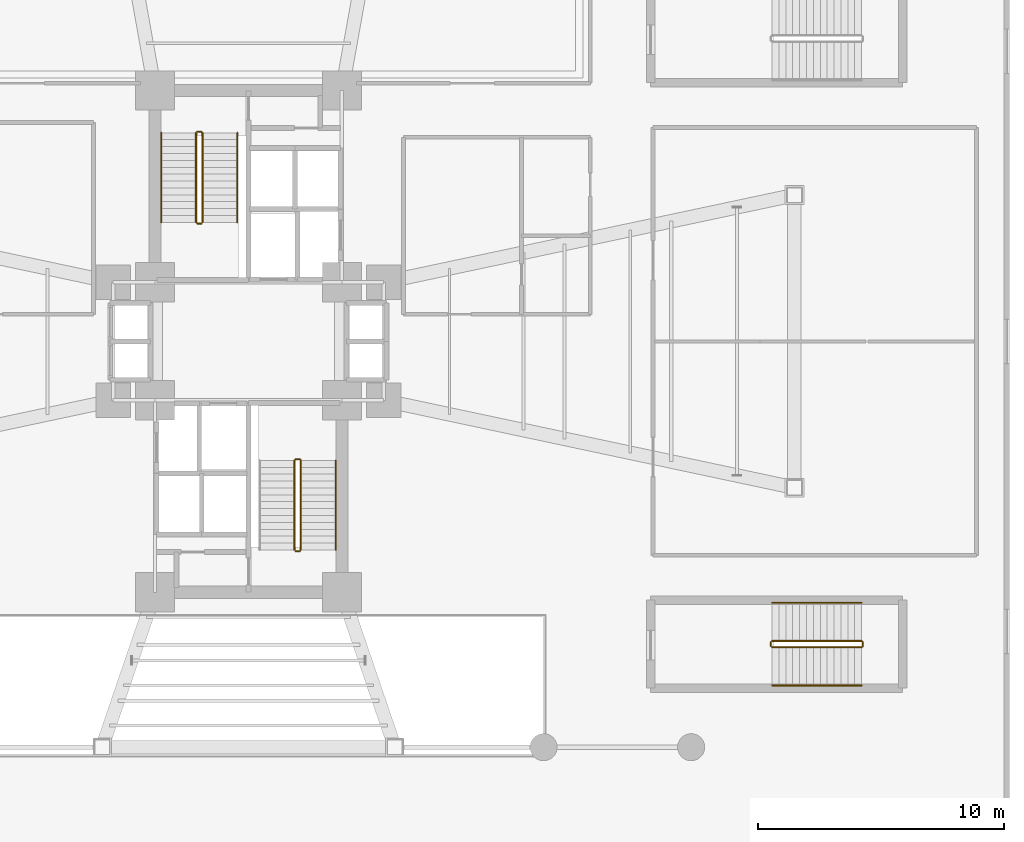
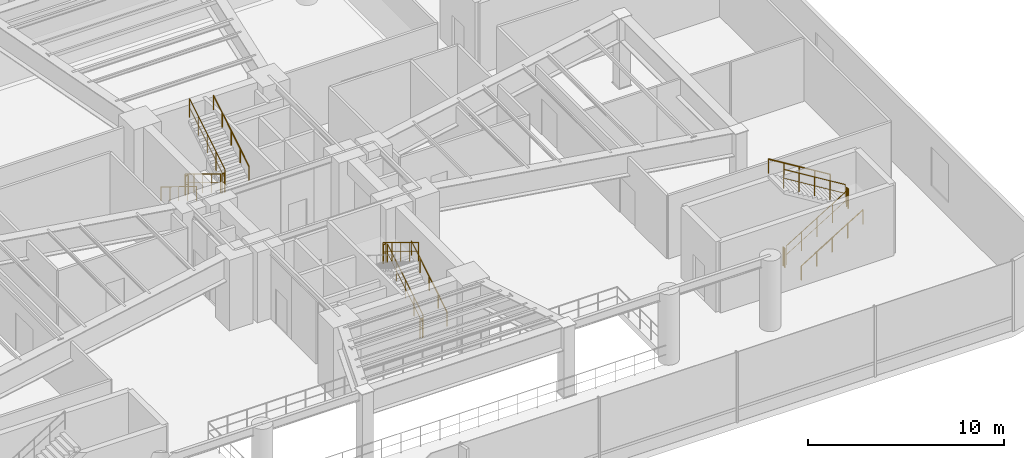
# One storey, part 20 of 22: 17 railings.
"""IFC4 building model written with IfcOpenShell, lengths in metres."""

from ifc_helpers import new_model, si_unit, direction, frame, origin, origin_2d, place, context, subcontext, project, spatial, circle, extrude, material, type_object, element, save


model = new_model("IFC4")

# Units and contexts
model_context = context("Model", 3, precision=1e-05, world=origin(), true_north=direction((0.0, 1.0)))
body_context = subcontext(model_context, "Body", "Model", "MODEL_VIEW")
ifc_project = project(units=[si_unit("LENGTHUNIT", "METRE"), si_unit("AREAUNIT", "SQUARE_METRE"), si_unit("VOLUMEUNIT", "CUBIC_METRE"), si_unit("PLANEANGLEUNIT", "RADIAN"), si_unit("MASSUNIT", "GRAM", prefix="KILO")], contexts=[model_context])

# Site, building, storey
site_placement = place(None, origin())
site = spatial("IfcSite", under=ifc_project, at=site_placement, CompositionType="ELEMENT")
building_placement = place(site_placement, origin())
building = spatial("IfcBuilding", under=site, at=building_placement, Name="Sahyath Konkavel Grand Hotel", CompositionType="ELEMENT")
storey_placement = place(building_placement, frame((0.0, 0.0, 9.300048828125)))
storey = spatial("IfcBuildingStorey", under=building, at=storey_placement, Name="L02", CompositionType="ELEMENT", Elevation=9.300048828125)

# Railings
ifc_material_1 = material(Name="Steel E350", Category="steel")
railing_type_1 = type_object("IfcRailingType", Name="RLG-STAIR-GRD", PredefinedType="GUARDRAIL", material=ifc_material_1)
railing_1_placement = place(storey_placement, frame((-2.1298828125, 8.47998046875, 0.17138671875)))
element("IfcRailing", 1, at=railing_1_placement, inside=storey, type_object=railing_type_1, Name="L02 ST-1 stair guard 1", PredefinedType="GUARDRAIL", context=body_context, shape_type="SweptSolid", body=[
    extrude(circle(Radius=0.02392578125, at=origin_2d()), frame((0.0, -0.001708984375, 1.177001953125), z_axis=(0.0, -0.852850264322, 0.5221555579), x_axis=(1.0, 0.0, 0.0)), (0.0, 0.0, 1.0), 4.263916015625),
    extrude(circle(Radius=0.01416015625, at=origin_2d()), frame((0.0, -0.001708984375, 0.625), z_axis=(0.0, -0.852850264322, 0.5221555579), x_axis=(1.0, 0.0, 0.0)), (0.0, 0.0, 1.0), 4.263916015625),
    extrude(circle(Radius=0.02099609375, at=origin_2d()), origin(), (0.0, 0.0, 1.0), 1.15185546875),
    extrude(circle(Radius=0.02099609375, at=origin_2d()), frame((0.0, -0.909912109375, 0.55712890625)), (0.0, 0.0, 1.0), 1.15185546875),
    extrude(circle(Radius=0.02099609375, at=origin_2d()), frame((0.0, -1.81982421875, 1.1142578125)), (0.0, 0.0, 1.0), 1.15185546875),
    extrude(circle(Radius=0.02099609375, at=origin_2d()), frame((0.0, -2.72998046875, 1.67138671875)), (0.0, 0.0, 1.0), 1.15185546875),
    extrude(circle(Radius=0.02099609375, at=origin_2d()), frame((0.0, -3.639892578125, 2.228515625)), (0.0, 0.0, 1.0), 1.15185546875),
])
railing_2_placement = place(storey_placement, frame((-2.080078125, 4.7900390625, 2.39990234375)))
element("IfcRailing", 2, at=railing_2_placement, inside=storey, type_object=railing_type_1, Name="L02 ST-1 stair guard 2", PredefinedType="GUARDRAIL", context=body_context, shape_type="SweptSolid", body=[
    extrude(circle(Radius=0.02392578125, at=origin_2d()), frame((0.001953125, 0.0, 1.17578125), z_axis=(1.0, 0.0, 0.0), x_axis=(0.0, 1.0, 0.0)), (0.0, 0.0, 1.0), 0.15625),
    extrude(circle(Radius=0.01416015625, at=origin_2d()), frame((0.001953125, 0.0, 0.6240234375), z_axis=(1.0, 0.0, 0.0), x_axis=(0.0, 1.0, 0.0)), (0.0, 0.0, 1.0), 0.15625),
    extrude(circle(Radius=0.02099609375, at=origin_2d()), origin(), (0.0, 0.0, 1.0), 1.15185546875),
    extrude(circle(Radius=0.02099609375, at=origin_2d()), frame((0.16015625, 0.0, 0.0)), (0.0, 0.0, 1.0), 1.15185546875),
])
railing_3_placement = place(storey_placement, frame((-1.8701171875, 4.840087890625, 2.5712890625)))
element("IfcRailing", 3, at=railing_3_placement, inside=storey, type_object=railing_type_1, Name="L02 ST-1 stair guard 3", PredefinedType="GUARDRAIL", context=body_context, shape_type="SweptSolid", body=[
    extrude(circle(Radius=0.02392578125, at=origin_2d()), frame((0.0, 0.001708984375, 1.177001953125), z_axis=(0.0, 0.852824790078, 0.522197163366), x_axis=(-1.0, 0.0, 0.0)), (0.0, 0.0, 1.0), 4.26416015625),
    extrude(circle(Radius=0.01416015625, at=origin_2d()), frame((0.0, 0.001708984375, 0.625), z_axis=(0.0, 0.852824790078, 0.522197163366), x_axis=(-1.0, 0.0, 0.0)), (0.0, 0.0, 1.0), 4.26416015625),
    extrude(circle(Radius=0.02099609375, at=origin_2d()), origin(), (0.0, 0.0, 1.0), 1.15185546875),
    extrude(circle(Radius=0.02099609375, at=origin_2d()), frame((0.0, 0.909912109375, 0.55712890625)), (0.0, 0.0, 1.0), 1.15185546875),
    extrude(circle(Radius=0.02099609375, at=origin_2d()), frame((0.0, 1.81982421875, 1.1142578125)), (0.0, 0.0, 1.0), 1.15185546875),
    extrude(circle(Radius=0.02099609375, at=origin_2d()), frame((0.0, 2.72998046875, 1.671630859375)), (0.0, 0.0, 1.0), 1.15185546875),
    extrude(circle(Radius=0.02099609375, at=origin_2d()), frame((0.0, 3.639892578125, 2.228759765625)), (0.0, 0.0, 1.0), 1.15185546875),
])
railing_4_placement = place(storey_placement, frame((-2.080078125, 8.530029296875, 0.0)))
element("IfcRailing", 4, at=railing_4_placement, inside=storey, type_object=railing_type_1, Name="L02 ST-1 stair guard 4", PredefinedType="GUARDRAIL", context=body_context, shape_type="SweptSolid", body=[
    extrude(circle(Radius=0.02392578125, at=origin_2d()), frame((0.001953125, 0.0, 1.17578125), z_axis=(1.0, 0.0, 0.0), x_axis=(0.0, 1.0, 0.0)), (0.0, 0.0, 1.0), 0.15625),
    extrude(circle(Radius=0.01416015625, at=origin_2d()), frame((0.001953125, 0.0, 0.6240234375), z_axis=(1.0, 0.0, 0.0), x_axis=(0.0, 1.0, 0.0)), (0.0, 0.0, 1.0), 0.15625),
    extrude(circle(Radius=0.02099609375, at=origin_2d()), origin(), (0.0, 0.0, 1.0), 1.15185546875),
    extrude(circle(Radius=0.02099609375, at=origin_2d()), frame((0.16015625, 0.0, 0.0)), (0.0, 0.0, 1.0), 1.15185546875),
])
railing_5_placement = place(storey_placement, frame((2.1298828125, -8.47998046875, 0.17138671875)))
element("IfcRailing", 5, at=railing_5_placement, inside=storey, type_object=railing_type_1, Name="L02 ST-2 stair guard 1", PredefinedType="GUARDRAIL", context=body_context, shape_type="SweptSolid", body=[
    extrude(circle(Radius=0.02392578125, at=origin_2d()), frame((0.0, 0.001708984375, 1.177001953125), z_axis=(0.0, 0.852850264322, 0.5221555579), x_axis=(-1.0, 0.0, 0.0)), (0.0, 0.0, 1.0), 4.263916015625),
    extrude(circle(Radius=0.01416015625, at=origin_2d()), frame((0.0, 0.001708984375, 0.625), z_axis=(0.0, 0.852850264322, 0.5221555579), x_axis=(-1.0, 0.0, 0.0)), (0.0, 0.0, 1.0), 4.263916015625),
    extrude(circle(Radius=0.02099609375, at=origin_2d()), origin(), (0.0, 0.0, 1.0), 1.15185546875),
    extrude(circle(Radius=0.02099609375, at=origin_2d()), frame((0.0, 0.909912109375, 0.55712890625)), (0.0, 0.0, 1.0), 1.15185546875),
    extrude(circle(Radius=0.02099609375, at=origin_2d()), frame((0.0, 1.81982421875, 1.1142578125)), (0.0, 0.0, 1.0), 1.15185546875),
    extrude(circle(Radius=0.02099609375, at=origin_2d()), frame((0.0, 2.72998046875, 1.67138671875)), (0.0, 0.0, 1.0), 1.15185546875),
    extrude(circle(Radius=0.02099609375, at=origin_2d()), frame((0.0, 3.639892578125, 2.228515625)), (0.0, 0.0, 1.0), 1.15185546875),
])
railing_6_placement = place(storey_placement, frame((2.080078125, -4.7900390625, 2.39990234375)))
element("IfcRailing", 6, at=railing_6_placement, inside=storey, type_object=railing_type_1, Name="L02 ST-2 stair guard 2", PredefinedType="GUARDRAIL", context=body_context, shape_type="SweptSolid", body=[
    extrude(circle(Radius=0.02392578125, at=origin_2d()), frame((-0.001953125, 0.0, 1.17578125), z_axis=(-1.0, 0.0, 0.0), x_axis=(0.0, -1.0, 0.0)), (0.0, 0.0, 1.0), 0.15625),
    extrude(circle(Radius=0.01416015625, at=origin_2d()), frame((-0.001953125, 0.0, 0.6240234375), z_axis=(-1.0, 0.0, 0.0), x_axis=(0.0, -1.0, 0.0)), (0.0, 0.0, 1.0), 0.15625),
    extrude(circle(Radius=0.02099609375, at=origin_2d()), origin(), (0.0, 0.0, 1.0), 1.15185546875),
    extrude(circle(Radius=0.02099609375, at=origin_2d()), frame((-0.16015625, 0.0, 0.0)), (0.0, 0.0, 1.0), 1.15185546875),
])
railing_7_placement = place(storey_placement, frame((1.8701171875, -4.840087890625, 2.5712890625)))
element("IfcRailing", 7, at=railing_7_placement, inside=storey, type_object=railing_type_1, Name="L02 ST-2 stair guard 3", PredefinedType="GUARDRAIL", context=body_context, shape_type="SweptSolid", body=[
    extrude(circle(Radius=0.02392578125, at=origin_2d()), frame((0.0, -0.001708984375, 1.177001953125), z_axis=(0.0, -0.852824790078, 0.522197163366), x_axis=(1.0, 0.0, 0.0)), (0.0, 0.0, 1.0), 4.26416015625),
    extrude(circle(Radius=0.01416015625, at=origin_2d()), frame((0.0, -0.001708984375, 0.625), z_axis=(0.0, -0.852824790078, 0.522197163366), x_axis=(1.0, 0.0, 0.0)), (0.0, 0.0, 1.0), 4.26416015625),
    extrude(circle(Radius=0.02099609375, at=origin_2d()), origin(), (0.0, 0.0, 1.0), 1.15185546875),
    extrude(circle(Radius=0.02099609375, at=origin_2d()), frame((0.0, -0.909912109375, 0.55712890625)), (0.0, 0.0, 1.0), 1.15185546875),
    extrude(circle(Radius=0.02099609375, at=origin_2d()), frame((0.0, -1.81982421875, 1.1142578125)), (0.0, 0.0, 1.0), 1.15185546875),
    extrude(circle(Radius=0.02099609375, at=origin_2d()), frame((0.0, -2.72998046875, 1.671630859375)), (0.0, 0.0, 1.0), 1.15185546875),
    extrude(circle(Radius=0.02099609375, at=origin_2d()), frame((0.0, -3.639892578125, 2.228759765625)), (0.0, 0.0, 1.0), 1.15185546875),
])
railing_8_placement = place(storey_placement, frame((2.080078125, -8.530029296875, 0.0)))
element("IfcRailing", 8, at=railing_8_placement, inside=storey, type_object=railing_type_1, Name="L02 ST-2 stair guard 4", PredefinedType="GUARDRAIL", context=body_context, shape_type="SweptSolid", body=[
    extrude(circle(Radius=0.02392578125, at=origin_2d()), frame((-0.001953125, 0.0, 1.17578125), z_axis=(-1.0, 0.0, 0.0), x_axis=(0.0, -1.0, 0.0)), (0.0, 0.0, 1.0), 0.15625),
    extrude(circle(Radius=0.01416015625, at=origin_2d()), frame((-0.001953125, 0.0, 0.6240234375), z_axis=(-1.0, 0.0, 0.0), x_axis=(0.0, -1.0, 0.0)), (0.0, 0.0, 1.0), 0.15625),
    extrude(circle(Radius=0.02099609375, at=origin_2d()), origin(), (0.0, 0.0, 1.0), 1.15185546875),
    extrude(circle(Radius=0.02099609375, at=origin_2d()), frame((-0.16015625, 0.0, 0.0)), (0.0, 0.0, 1.0), 1.15185546875),
])
railing_9_placement = place(storey_placement, frame((21.2900390625, -12.43994140625, 0.17138671875)))
element("IfcRailing", 9, at=railing_9_placement, inside=storey, type_object=railing_type_1, Name="L02 ST-P4 stair guard 1", PredefinedType="GUARDRAIL", context=body_context, shape_type="SweptSolid", body=[
    extrude(circle(Radius=0.02392578125, at=origin_2d()), frame((0.001708984375, 0.0, 1.177001953125), z_axis=(0.852850264322, 0.0, 0.5221555579), x_axis=(0.0, 1.0, 0.0)), (0.0, 0.0, 1.0), 4.263916015625),
    extrude(circle(Radius=0.01416015625, at=origin_2d()), frame((0.001708984375, 0.0, 0.625), z_axis=(0.852850264322, 0.0, 0.5221555579), x_axis=(0.0, 1.0, 0.0)), (0.0, 0.0, 1.0), 4.263916015625),
    extrude(circle(Radius=0.02099609375, at=origin_2d()), origin(), (0.0, 0.0, 1.0), 1.15185546875),
    extrude(circle(Radius=0.02099609375, at=origin_2d()), frame((0.909912109375, 0.0, 0.55712890625)), (0.0, 0.0, 1.0), 1.15185546875),
    extrude(circle(Radius=0.02099609375, at=origin_2d()), frame((1.81982421875, 0.0, 1.1142578125)), (0.0, 0.0, 1.0), 1.15185546875),
    extrude(circle(Radius=0.02099609375, at=origin_2d()), frame((2.72998046875, 0.0, 1.67138671875)), (0.0, 0.0, 1.0), 1.15185546875),
    extrude(circle(Radius=0.02099609375, at=origin_2d()), frame((3.639892578125, 0.0, 2.228515625)), (0.0, 0.0, 1.0), 1.15185546875),
])
railing_10_placement = place(storey_placement, frame((24.97998046875, -12.389892578125, 2.39990234375)))
element("IfcRailing", 10, at=railing_10_placement, inside=storey, type_object=railing_type_1, Name="L02 ST-P4 stair guard 2", PredefinedType="GUARDRAIL", context=body_context, shape_type="SweptSolid", body=[
    extrude(circle(Radius=0.02392578125, at=origin_2d()), frame((0.0, 0.001953125, 1.17578125), z_axis=(0.0, 1.0, 0.0), x_axis=(-1.0, 0.0, 0.0)), (0.0, 0.0, 1.0), 0.156005859375),
    extrude(circle(Radius=0.01416015625, at=origin_2d()), frame((0.0, 0.001953125, 0.6240234375), z_axis=(0.0, 1.0, 0.0), x_axis=(-1.0, 0.0, 0.0)), (0.0, 0.0, 1.0), 0.156005859375),
    extrude(circle(Radius=0.02099609375, at=origin_2d()), origin(), (0.0, 0.0, 1.0), 1.15185546875),
    extrude(circle(Radius=0.02099609375, at=origin_2d()), frame((0.0, 0.159912109375, 0.0)), (0.0, 0.0, 1.0), 1.15185546875),
])
railing_11_placement = place(storey_placement, frame((24.929931640625, -12.179931640625, 2.5712890625)))
element("IfcRailing", 11, at=railing_11_placement, inside=storey, type_object=railing_type_1, Name="L02 ST-P4 stair guard 3", PredefinedType="GUARDRAIL", context=body_context, shape_type="SweptSolid", body=[
    extrude(circle(Radius=0.02392578125, at=origin_2d()), frame((-0.001708984375, 0.0, 1.177001953125), z_axis=(-0.852824790078, 0.0, 0.522197163366), x_axis=(0.0, -1.0, 0.0)), (0.0, 0.0, 1.0), 4.26416015625),
    extrude(circle(Radius=0.01416015625, at=origin_2d()), frame((-0.001708984375, 0.0, 0.625), z_axis=(-0.852824790078, 0.0, 0.522197163366), x_axis=(0.0, -1.0, 0.0)), (0.0, 0.0, 1.0), 4.26416015625),
    extrude(circle(Radius=0.02099609375, at=origin_2d()), origin(), (0.0, 0.0, 1.0), 1.15185546875),
    extrude(circle(Radius=0.02099609375, at=origin_2d()), frame((-0.909912109375, 0.0, 0.55712890625)), (0.0, 0.0, 1.0), 1.15185546875),
    extrude(circle(Radius=0.02099609375, at=origin_2d()), frame((-1.81982421875, 0.0, 1.1142578125)), (0.0, 0.0, 1.0), 1.15185546875),
    extrude(circle(Radius=0.02099609375, at=origin_2d()), frame((-2.72998046875, 0.0, 1.671630859375)), (0.0, 0.0, 1.0), 1.15185546875),
    extrude(circle(Radius=0.02099609375, at=origin_2d()), frame((-3.639892578125, 0.0, 2.228759765625)), (0.0, 0.0, 1.0), 1.15185546875),
])
railing_12_placement = place(storey_placement, frame((21.239990234375, -12.389892578125, 0.0)))
element("IfcRailing", 12, at=railing_12_placement, inside=storey, type_object=railing_type_1, Name="L02 ST-P4 stair guard 4", PredefinedType="GUARDRAIL", context=body_context, shape_type="SweptSolid", body=[
    extrude(circle(Radius=0.02392578125, at=origin_2d()), frame((0.0, 0.001953125, 1.17578125), z_axis=(0.0, 1.0, 0.0), x_axis=(-1.0, 0.0, 0.0)), (0.0, 0.0, 1.0), 0.156005859375),
    extrude(circle(Radius=0.01416015625, at=origin_2d()), frame((0.0, 0.001953125, 0.6240234375), z_axis=(0.0, 1.0, 0.0), x_axis=(-1.0, 0.0, 0.0)), (0.0, 0.0, 1.0), 0.156005859375),
    extrude(circle(Radius=0.02099609375, at=origin_2d()), origin(), (0.0, 0.0, 1.0), 1.15185546875),
    extrude(circle(Radius=0.02099609375, at=origin_2d()), frame((0.0, 0.159912109375, 0.0)), (0.0, 0.0, 1.0), 1.15185546875),
])
ifc_material_2 = material(Name="Anodised Bronze Aluminium", Category="aluminium")
railing_type_2 = type_object("IfcRailingType", Name="RLG-STAIR-HND", PredefinedType="HANDRAIL", material=ifc_material_2)
railing_13_placement = place(storey_placement, frame((-3.550048828125, 8.47998046875, 0.17138671875)))
element("IfcRailing", 13, at=railing_13_placement, inside=storey, type_object=railing_type_2, Name="L02 ST-1 stair handrail 1", PredefinedType="HANDRAIL", context=body_context, shape_type="SweptSolid", body=[
    extrude(circle(Radius=0.02392578125, at=origin_2d()), frame((0.0, -0.001708984375, 0.876953125), z_axis=(0.0, -0.852850264322, 0.5221555579), x_axis=(1.0, 0.0, 0.0)), (0.0, 0.0, 1.0), 4.263916015625),
    extrude(circle(Radius=0.02099609375, at=origin_2d()), origin(), (0.0, 0.0, 1.0), 0.851806640625),
    extrude(circle(Radius=0.02099609375, at=origin_2d()), frame((0.0, -0.909912109375, 0.55712890625)), (0.0, 0.0, 1.0), 0.851806640625),
    extrude(circle(Radius=0.02099609375, at=origin_2d()), frame((0.0, -1.81982421875, 1.1142578125)), (0.0, 0.0, 1.0), 0.851806640625),
    extrude(circle(Radius=0.02099609375, at=origin_2d()), frame((0.0, -2.72998046875, 1.67138671875)), (0.0, 0.0, 1.0), 0.851806640625),
    extrude(circle(Radius=0.02099609375, at=origin_2d()), frame((0.0, -3.639892578125, 2.228515625)), (0.0, 0.0, 1.0), 0.851806640625),
])
railing_14_placement = place(storey_placement, frame((-0.449951171875, 4.840087890625, 2.5712890625)))
element("IfcRailing", 14, at=railing_14_placement, inside=storey, type_object=railing_type_2, Name="L02 ST-1 stair handrail 2", PredefinedType="HANDRAIL", context=body_context, shape_type="SweptSolid", body=[
    extrude(circle(Radius=0.02392578125, at=origin_2d()), frame((0.0, 0.001708984375, 0.876953125), z_axis=(0.0, 0.852824790078, 0.522197163366), x_axis=(-1.0, 0.0, 0.0)), (0.0, 0.0, 1.0), 4.26416015625),
    extrude(circle(Radius=0.02099609375, at=origin_2d()), origin(), (0.0, 0.0, 1.0), 0.851806640625),
    extrude(circle(Radius=0.02099609375, at=origin_2d()), frame((0.0, 0.909912109375, 0.55712890625)), (0.0, 0.0, 1.0), 0.851806640625),
    extrude(circle(Radius=0.02099609375, at=origin_2d()), frame((0.0, 1.81982421875, 1.1142578125)), (0.0, 0.0, 1.0), 0.851806640625),
    extrude(circle(Radius=0.02099609375, at=origin_2d()), frame((0.0, 2.72998046875, 1.671630859375)), (0.0, 0.0, 1.0), 0.851806640625),
    extrude(circle(Radius=0.02099609375, at=origin_2d()), frame((0.0, 3.639892578125, 2.228759765625)), (0.0, 0.0, 1.0), 0.851806640625),
])
railing_15_placement = place(storey_placement, frame((3.550048828125, -8.47998046875, 0.17138671875)))
element("IfcRailing", 15, at=railing_15_placement, inside=storey, type_object=railing_type_2, Name="L02 ST-2 stair handrail 1", PredefinedType="HANDRAIL", context=body_context, shape_type="SweptSolid", body=[
    extrude(circle(Radius=0.02392578125, at=origin_2d()), frame((0.0, 0.001708984375, 0.876953125), z_axis=(0.0, 0.852850264322, 0.5221555579), x_axis=(-1.0, 0.0, 0.0)), (0.0, 0.0, 1.0), 4.263916015625),
    extrude(circle(Radius=0.02099609375, at=origin_2d()), origin(), (0.0, 0.0, 1.0), 0.851806640625),
    extrude(circle(Radius=0.02099609375, at=origin_2d()), frame((0.0, 0.909912109375, 0.55712890625)), (0.0, 0.0, 1.0), 0.851806640625),
    extrude(circle(Radius=0.02099609375, at=origin_2d()), frame((0.0, 1.81982421875, 1.1142578125)), (0.0, 0.0, 1.0), 0.851806640625),
    extrude(circle(Radius=0.02099609375, at=origin_2d()), frame((0.0, 2.72998046875, 1.67138671875)), (0.0, 0.0, 1.0), 0.851806640625),
    extrude(circle(Radius=0.02099609375, at=origin_2d()), frame((0.0, 3.639892578125, 2.228515625)), (0.0, 0.0, 1.0), 0.851806640625),
])
railing_16_placement = place(storey_placement, frame((21.2900390625, -13.989990234375, 0.17138671875)))
element("IfcRailing", 16, at=railing_16_placement, inside=storey, type_object=railing_type_2, Name="L02 ST-P4 stair handrail 1", PredefinedType="HANDRAIL", context=body_context, shape_type="SweptSolid", body=[
    extrude(circle(Radius=0.02392578125, at=origin_2d()), frame((0.001708984375, 0.0, 0.876953125), z_axis=(0.852850264322, 0.0, 0.5221555579), x_axis=(0.0, 1.0, 0.0)), (0.0, 0.0, 1.0), 4.263916015625),
    extrude(circle(Radius=0.02099609375, at=origin_2d()), origin(), (0.0, 0.0, 1.0), 0.851806640625),
    extrude(circle(Radius=0.02099609375, at=origin_2d()), frame((0.909912109375, 0.0, 0.55712890625)), (0.0, 0.0, 1.0), 0.851806640625),
    extrude(circle(Radius=0.02099609375, at=origin_2d()), frame((1.81982421875, 0.0, 1.1142578125)), (0.0, 0.0, 1.0), 0.851806640625),
    extrude(circle(Radius=0.02099609375, at=origin_2d()), frame((2.72998046875, 0.0, 1.67138671875)), (0.0, 0.0, 1.0), 0.851806640625),
    extrude(circle(Radius=0.02099609375, at=origin_2d()), frame((3.639892578125, 0.0, 2.228515625)), (0.0, 0.0, 1.0), 0.851806640625),
])
railing_17_placement = place(storey_placement, frame((24.929931640625, -10.6298828125, 2.5712890625)))
element("IfcRailing", 17, at=railing_17_placement, inside=storey, type_object=railing_type_2, Name="L02 ST-P4 stair handrail 2", PredefinedType="HANDRAIL", context=body_context, shape_type="SweptSolid", body=[
    extrude(circle(Radius=0.02392578125, at=origin_2d()), frame((-0.001708984375, 0.0, 0.876953125), z_axis=(-0.852824790078, 0.0, 0.522197163366), x_axis=(0.0, -1.0, 0.0)), (0.0, 0.0, 1.0), 4.26416015625),
    extrude(circle(Radius=0.02099609375, at=origin_2d()), origin(), (0.0, 0.0, 1.0), 0.851806640625),
    extrude(circle(Radius=0.02099609375, at=origin_2d()), frame((-0.909912109375, 0.0, 0.55712890625)), (0.0, 0.0, 1.0), 0.851806640625),
    extrude(circle(Radius=0.02099609375, at=origin_2d()), frame((-1.81982421875, 0.0, 1.1142578125)), (0.0, 0.0, 1.0), 0.851806640625),
    extrude(circle(Radius=0.02099609375, at=origin_2d()), frame((-2.72998046875, 0.0, 1.671630859375)), (0.0, 0.0, 1.0), 0.851806640625),
    extrude(circle(Radius=0.02099609375, at=origin_2d()), frame((-3.639892578125, 0.0, 2.228759765625)), (0.0, 0.0, 1.0), 0.851806640625),
])

save(model, "model.ifc")
